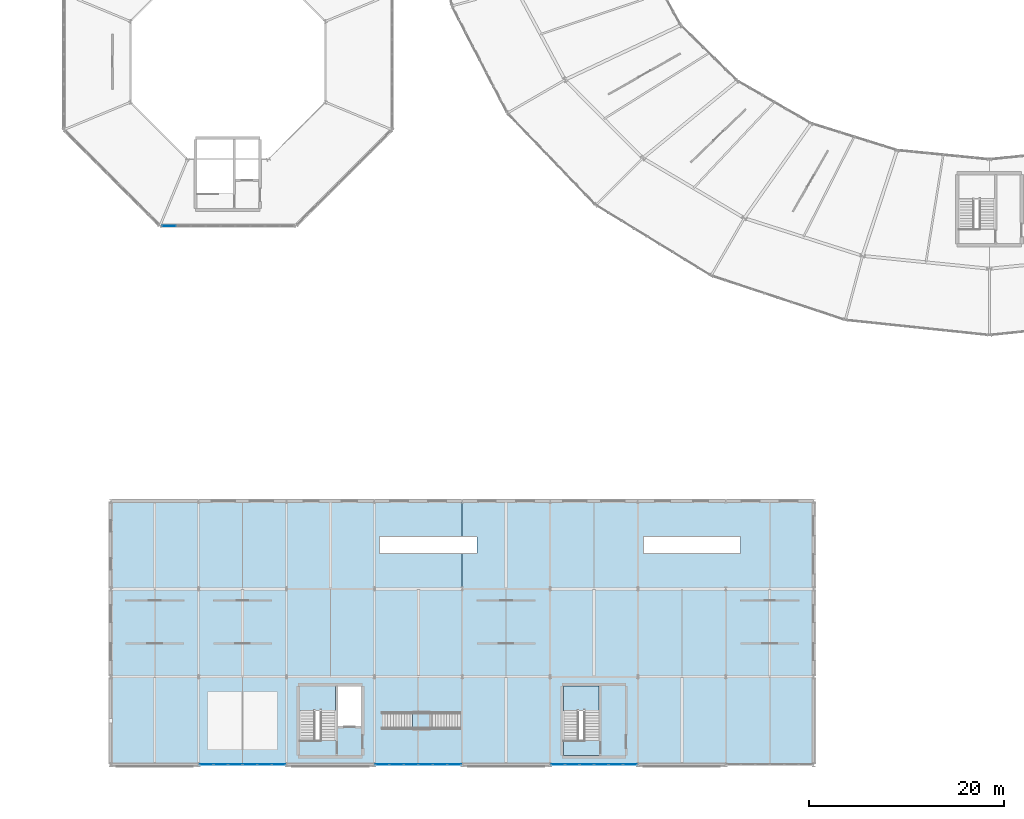
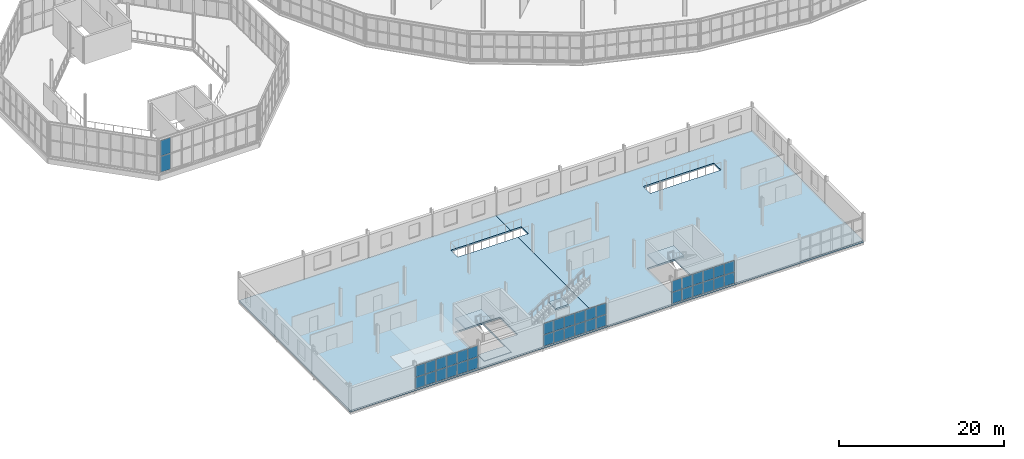
# One storey, part 106 of 161: 38 plates, 7 slabs, 7 elements without a shape of their own.
"""IFC4 building model written with IfcOpenShell, lengths in metres."""

import ifcopenshell
import ifcopenshell.guid

model = None  # the IFC model being written
_history = None  # IfcOwnerHistory: only IFC2X3 demands one
_inside = {}  # id of a spatial element -> (the spatial element, [elements in it])
_under = {}  # id of a project, library or spatial element -> (it, [spatial elements below it])
_declared = {}  # id of a project -> (the project, [libraries it declares])
_typed = {}  # id of a type object -> (the type object, [elements of that type])
_made_of = {}  # id of a material, layer set ... -> (it, [elements and type objects made of it])


def new_model(schema):
    """Start an empty IFC model of exactly this schema.

    Asked for "IFC4X3", IfcOpenShell would pick the latest addendum, in which some entities
    have other attributes; the version numbers below select the first issue.
    IFC2X3 requires an IfcOwnerHistory on every rooted entity: one is made here for all.
    """
    global model, _history
    if schema == "IFC4X3":
        model = ifcopenshell.file(schema_version=(4, 3, 0, 0))
    else:
        model = ifcopenshell.file(schema=schema)
    _inside.clear()
    _under.clear()
    _declared.clear()
    _typed.clear()
    _made_of.clear()
    _history = None
    if model.schema == "IFC2X3":
        org = make("IfcOrganization", Name="unknown")
        user = make(
            "IfcPersonAndOrganization",
            ThePerson=make("IfcPerson", FamilyName="unknown"),
            TheOrganization=org,
        )
        app = make(
            "IfcApplication",
            ApplicationDeveloper=org,
            Version="unknown",
            ApplicationFullName="unknown",
            ApplicationIdentifier="unknown",
        )
        _history = make(
            "IfcOwnerHistory",
            OwningUser=user,
            OwningApplication=app,
            ChangeAction="ADDED",
            CreationDate=0,
        )
    return model


def make(cls, **values):
    """One entity of the class cls with the attributes given. An attribute that is None is left unset."""
    return model.create_entity(
        cls, **{name: value for name, value in values.items() if value is not None}
    )


def rooted(cls, **values):
    """An entity with a GlobalId (a new one), such as an element, a storey or a relation."""
    return make(cls, GlobalId=ifcopenshell.guid.new(), OwnerHistory=_history, **values)


def si_unit(unit_type, name, prefix=None):
    """IfcSIUnit, for example si_unit("LENGTHUNIT", "METRE", prefix="MILLI")."""
    return make("IfcSIUnit", UnitType=unit_type, Prefix=prefix, Name=name)


def assignment(units):
    """IfcUnitAssignment: the units of a project."""
    return None if units is None else make("IfcUnitAssignment", Units=units)


def point(xyz):
    """IfcCartesianPoint."""
    return None if xyz is None else make("IfcCartesianPoint", Coordinates=xyz)


def direction(xyz):
    """IfcDirection."""
    return None if xyz is None else make("IfcDirection", DirectionRatios=xyz)


def frame(location, z_axis=None, x_axis=None):
    """IfcAxis2Placement3D, a coordinate frame: its origin and axes. An axis left out is left unset."""
    return make(
        "IfcAxis2Placement3D",
        Location=point(location),
        Axis=direction(z_axis),
        RefDirection=direction(x_axis),
    )


def frame_2d(location, x_axis=None):
    """IfcAxis2Placement2D, a coordinate frame in the plane: its origin and x axis."""
    return make(
        "IfcAxis2Placement2D", Location=point(location), RefDirection=direction(x_axis)
    )


def origin():
    """The frame at (0, 0, 0) with its axes left unset."""
    return frame((0.0, 0.0, 0.0))


def origin_2d():
    """The frame at (0, 0) in the plane with its x axis left unset."""
    return frame_2d((0.0, 0.0))


def place(relative_to, where):
    """IfcLocalPlacement: puts the frame where relative to a parent placement (None: the world)."""
    return make(
        "IfcLocalPlacement", PlacementRelTo=relative_to, RelativePlacement=where
    )


def context(
    kind, dimensions, precision=None, world=None, true_north=None, identifier=None
):
    """IfcGeometricRepresentationContext, for example the 3D "Model" context."""
    return make(
        "IfcGeometricRepresentationContext",
        ContextIdentifier=identifier,
        ContextType=kind,
        CoordinateSpaceDimension=dimensions,
        Precision=precision,
        WorldCoordinateSystem=world,
        TrueNorth=true_north,
    )


def subcontext(parent, identifier, kind, view, scale=None):
    """IfcGeometricRepresentationSubContext, for example "Body" below "Model"."""
    return make(
        "IfcGeometricRepresentationSubContext",
        ContextIdentifier=identifier,
        ContextType=kind,
        ParentContext=parent,
        TargetScale=scale,
        TargetView=view,
    )


def project(units=None, contexts=None):
    """IfcProject with its units and contexts."""
    return rooted(
        "IfcProject",
        Name="project",
        RepresentationContexts=contexts,
        UnitsInContext=assignment(units),
    )


def spatial(cls, under=None, at=None, **own):
    """A site, building, storey or space (cls), placed at a placement, below another one or the project."""
    s = rooted(cls, ObjectPlacement=at, **own)
    if under is not None:
        _under.setdefault(under.id(), (under, []))[1].append(s)
    return s


def polyline(points):
    """IfcPolyline through the points."""
    return make("IfcPolyline", Points=[point(p) for p in points])


def profile(cls, at=None, kind="AREA", **sizes):
    """A parametric profile (cls). Its sizes go by their IFC names, for example OverallWidth=200.0."""
    return make(cls, ProfileType=kind, Position=at, **sizes)


def rectangle(**sizes):
    """IfcRectangleProfileDef."""
    return profile("IfcRectangleProfileDef", **sizes)


def outline(outer, holes=None, kind="AREA"):
    """IfcArbitraryClosedProfileDef: a profile drawn as a closed curve; with holes, ...WithVoids."""
    if holes is None:
        return make("IfcArbitraryClosedProfileDef", ProfileType=kind, OuterCurve=outer)
    return make(
        "IfcArbitraryProfileDefWithVoids",
        ProfileType=kind,
        OuterCurve=outer,
        InnerCurves=holes,
    )


def extrude(swept, where, along, depth):
    """IfcExtrudedAreaSolid: the profile swept, set in the frame where, extruded along a direction by depth."""
    return make(
        "IfcExtrudedAreaSolid",
        SweptArea=swept,
        Position=where,
        ExtrudedDirection=direction(along),
        Depth=depth,
    )


def shape(context_of_items, identifier, shape_type, items):
    """IfcShapeRepresentation: the items that make up one representation, for example the "Body"."""
    return make(
        "IfcShapeRepresentation",
        ContextOfItems=context_of_items,
        RepresentationIdentifier=identifier,
        RepresentationType=shape_type,
        Items=items,
    )


def material(Name=None, Category=None):
    """IfcMaterial."""
    return make("IfcMaterial", Name=Name, Category=Category)


def layer(
    of_material, thickness, ventilated=None, Name=None, Category=None, Priority=None
):
    """IfcMaterialLayer: one layer of a wall or slab, of a material (None: an air gap)."""
    return make(
        "IfcMaterialLayer",
        Material=of_material,
        LayerThickness=thickness,
        IsVentilated=ventilated,
        Name=Name,
        Category=Category,
        Priority=Priority,
    )


def layer_set(layers, Name=None):
    """IfcMaterialLayerSet."""
    return make("IfcMaterialLayerSet", MaterialLayers=layers, LayerSetName=Name)


def made_of(thing, what):
    """Note that an element or type object is made of a material, layer set ...; save() writes the relation."""
    if what is not None:
        _made_of.setdefault(what.id(), (what, []))[1].append(thing)
    return thing


def type_object(cls, material=None, **own):
    """A type object (cls), such as IfcWallType, which elements share."""
    return made_of(rooted(cls, **own), material)


def element(
    cls,
    number,
    at=None,
    inside=None,
    cuts=None,
    type_object=None,
    material=None,
    context=None,
    identifier="Body",
    shape_type=None,
    held_by="IfcProductDefinitionShape",
    body=None,
    shapes=None,
    **own,
):
    """One element of the class cls, such as IfcWall. Its Tag is "e" and its number.

    at: its placement. inside: the storey or other place that contains it. cuts: it is an
    opening in that element (IfcRelVoidsElement). A single representation is given by context,
    identifier, shape_type and body (its items); several are given by shapes. held_by: the class
    of the entity that holds the representations. save() writes the other relations.
    """
    e = rooted(cls, Tag="e%d" % number, ObjectPlacement=at, **own)
    if body is not None:
        shapes = [shape(context, identifier, shape_type, body)]
    if shapes is not None:
        e.Representation = make(held_by, Representations=shapes)
    if inside is not None:
        _inside.setdefault(inside.id(), (inside, []))[1].append(e)
    if cuts is not None:
        rooted(
            "IfcRelVoidsElement", RelatingBuildingElement=cuts, RelatedOpeningElement=e
        )
    if type_object is not None:
        _typed.setdefault(type_object.id(), (type_object, []))[1].append(e)
    return made_of(e, material)


def aggregate(whole, parts):
    """IfcRelAggregates: a whole, such as a stair, and the parts it consists of."""
    return rooted("IfcRelAggregates", RelatingObject=whole, RelatedObjects=parts)


def save(model, path):
    """Write the relations noted so far, then the file.

    IfcRelAggregates (storeys below a building ...), IfcRelContainedInSpatialStructure (elements
    in a storey), IfcRelDefinesByType, IfcRelAssociatesMaterial and IfcRelDeclares: one each for
    every whole, place, type object, material and project.
    """
    for whole, parts in _under.values():
        aggregate(whole, parts)
    for where, things in _inside.values():
        rooted(
            "IfcRelContainedInSpatialStructure",
            RelatedElements=things,
            RelatingStructure=where,
        )
    for kind, things in _typed.values():
        rooted("IfcRelDefinesByType", RelatedObjects=things, RelatingType=kind)
    for what, things in _made_of.values():
        rooted("IfcRelAssociatesMaterial", RelatedObjects=things, RelatingMaterial=what)
    for by, libraries in _declared.values():
        rooted("IfcRelDeclares", RelatingContext=by, RelatedDefinitions=libraries)
    model.write(path)


model = new_model("IFC4")

# Units and contexts
model_context = context("Model", 3, precision=1e-05, world=origin(), true_north=direction((0.0, 1.0)))
body_context = subcontext(model_context, "Body", "Model", "MODEL_VIEW")
ifc_project = project(units=[si_unit("LENGTHUNIT", "METRE"), si_unit("AREAUNIT", "SQUARE_METRE"), si_unit("VOLUMEUNIT", "CUBIC_METRE"), si_unit("PLANEANGLEUNIT", "RADIAN"), si_unit("MASSUNIT", "GRAM", prefix="KILO")], contexts=[model_context])

# Site, building, storey
site_placement = place(None, origin())
site = spatial("IfcSite", under=ifc_project, at=site_placement, CompositionType="ELEMENT")
building_placement = place(site_placement, origin())
building = spatial("IfcBuilding", under=site, at=building_placement, Name="Kildeholm Park Wholesale Market", CompositionType="ELEMENT")
storey_placement = place(building_placement, frame((0.0, 0.0, 5.39990234375)))
storey = spatial("IfcBuildingStorey", under=building, at=storey_placement, Name="L01", CompositionType="ELEMENT", Elevation=5.39990234375)

# Curtain wall, plates
ifc_material_1 = material(Name="Anodised aluminium and low-E double-glazed glass", Category="aluminium")
curtain_wall_type_1 = type_object("IfcCurtainWallType", Name="Clerestory daylight stick curtain wall CW-02", PredefinedType="NOTDEFINED", material=ifc_material_1)
curtain_wall_1_placement = place(storey_placement, origin())
curtain_wall_1 = element("IfcCurtainWall", 1, at=curtain_wall_1_placement, inside=storey, type_object=curtain_wall_type_1, Name="Curtain wall CW-V3-L01-05 CW-0140", PredefinedType="NOTDEFINED")
ifc_material_2 = material(Name="Triple-glazed solar-control glass", Category="glass")
ifc_layer_1 = layer(ifc_material_2, 0.035888671875)
ifc_layer_set_1 = layer_set([ifc_layer_1], Name="Triple-glazed solar-control glass")
plate_type = type_object("IfcPlateType", Name="Curtain-wall panel CWP-2 36 mm", PredefinedType="CURTAIN_PANEL", material=ifc_layer_set_1)
plate_1_placement = place(storey_placement, frame((14.9521484375, 55.18505859375, 0.0751953125), z_axis=(0.0, 0.0, 1.0), x_axis=(1.0, 0.0, 0.0)))
plate_1 = element("IfcPlate", 2, at=plate_1_placement, type_object=plate_type, Name="CW-02 panel 1.1 PLT-2070", PredefinedType="CURTAIN_PANEL", context=body_context, shape_type="SweptSolid", body=[
    extrude(rectangle(XDim=1.404052734375, YDim=0.035888671875, at=origin_2d()), origin(), (0.0, 0.0, 1.0), 2.3125),
])
plate_2_placement = place(storey_placement, frame((14.9521484375, 55.18505859375, 2.462646484375), z_axis=(0.0, 0.0, 1.0), x_axis=(1.0, 0.0, 0.0)))
plate_2 = element("IfcPlate", 3, at=plate_2_placement, type_object=plate_type, Name="CW-02 panel 1.2 PLT-2071", PredefinedType="CURTAIN_PANEL", context=body_context, shape_type="SweptSolid", body=[
    extrude(rectangle(XDim=1.404052734375, YDim=0.035888671875, at=origin_2d()), origin(), (0.0, 0.0, 1.0), 2.3125),
])
aggregate(curtain_wall_1, [plate_1, plate_2])

curtain_wall_type_2 = type_object("IfcCurtainWallType", Name="Park wing thermally broken curtain wall CW-03", PredefinedType="NOTDEFINED", material=ifc_material_1)
curtain_wall_2_placement = place(storey_placement, origin())
curtain_wall_2 = element("IfcCurtainWall", 4, at=curtain_wall_2_placement, inside=storey, type_object=curtain_wall_type_2, Name="Curtain wall CW-V5W-L01-S-02 CW-0143", PredefinedType="NOTDEFINED")
plate_3_placement = place(storey_placement, frame((18.802001953125, 0.0, 0.0751953125), z_axis=(0.0, 0.0, 1.0), x_axis=(1.0, 0.0, 0.0)))
plate_3 = element("IfcPlate", 5, at=plate_3_placement, type_object=plate_type, Name="CW-03 panel 1.1 PLT-2124", PredefinedType="CURTAIN_PANEL", context=body_context, shape_type="SweptSolid", body=[
    extrude(rectangle(XDim=1.374267578125, YDim=0.035888671875, at=origin_2d()), origin(), (0.0, 0.0, 1.0), 1.637451171875),
])
plate_4_placement = place(storey_placement, frame((18.802001953125, 0.0, 1.78759765625), z_axis=(0.0, 0.0, 1.0), x_axis=(1.0, 0.0, 0.0)))
plate_4 = element("IfcPlate", 6, at=plate_4_placement, type_object=plate_type, Name="CW-03 panel 1.2 PLT-2125", PredefinedType="CURTAIN_PANEL", context=body_context, shape_type="SweptSolid", body=[
    extrude(rectangle(XDim=1.374267578125, YDim=0.035888671875, at=origin_2d()), origin(), (0.0, 0.0, 1.0), 1.637451171875),
])
plate_5_placement = place(storey_placement, frame((20.27001953125, 0.0, 0.0751953125), z_axis=(0.0, 0.0, 1.0), x_axis=(1.0, 0.0, 0.0)))
plate_5 = element("IfcPlate", 7, at=plate_5_placement, type_object=plate_type, Name="CW-03 panel 2.1 PLT-2126", PredefinedType="CURTAIN_PANEL", context=body_context, shape_type="SweptSolid", body=[
    extrude(rectangle(XDim=1.41162109375, YDim=0.035888671875, at=origin_2d()), origin(), (0.0, 0.0, 1.0), 1.637451171875),
])
plate_6_placement = place(storey_placement, frame((20.27001953125, 0.0, 1.78759765625), z_axis=(0.0, 0.0, 1.0), x_axis=(1.0, 0.0, 0.0)))
plate_6 = element("IfcPlate", 8, at=plate_6_placement, type_object=plate_type, Name="CW-03 panel 2.2 PLT-2127", PredefinedType="CURTAIN_PANEL", context=body_context, shape_type="SweptSolid", body=[
    extrude(rectangle(XDim=1.41162109375, YDim=0.035888671875, at=origin_2d()), origin(), (0.0, 0.0, 1.0), 1.637451171875),
])
plate_7_placement = place(storey_placement, frame((21.756591796875, 0.0, 0.0751953125), z_axis=(0.0, 0.0, 1.0), x_axis=(1.0, 0.0, 0.0)))
plate_7 = element("IfcPlate", 9, at=plate_7_placement, type_object=plate_type, Name="CW-03 panel 3.1 PLT-2128", PredefinedType="CURTAIN_PANEL", context=body_context, shape_type="SweptSolid", body=[
    extrude(rectangle(XDim=1.41162109375, YDim=0.035888671875, at=origin_2d()), origin(), (0.0, 0.0, 1.0), 1.637451171875),
])
plate_8_placement = place(storey_placement, frame((21.756591796875, 0.0, 1.78759765625), z_axis=(0.0, 0.0, 1.0), x_axis=(1.0, 0.0, 0.0)))
plate_8 = element("IfcPlate", 10, at=plate_8_placement, type_object=plate_type, Name="CW-03 panel 3.2 PLT-2129", PredefinedType="CURTAIN_PANEL", context=body_context, shape_type="SweptSolid", body=[
    extrude(rectangle(XDim=1.41162109375, YDim=0.035888671875, at=origin_2d()), origin(), (0.0, 0.0, 1.0), 1.637451171875),
])
plate_9_placement = place(storey_placement, frame((23.243408203125, 0.0, 0.0751953125), z_axis=(0.0, 0.0, 1.0), x_axis=(1.0, 0.0, 0.0)))
plate_9 = element("IfcPlate", 11, at=plate_9_placement, type_object=plate_type, Name="CW-03 panel 4.1 PLT-2130", PredefinedType="CURTAIN_PANEL", context=body_context, shape_type="SweptSolid", body=[
    extrude(rectangle(XDim=1.41162109375, YDim=0.035888671875, at=origin_2d()), origin(), (0.0, 0.0, 1.0), 1.637451171875),
])
plate_10_placement = place(storey_placement, frame((23.243408203125, 0.0, 1.78759765625), z_axis=(0.0, 0.0, 1.0), x_axis=(1.0, 0.0, 0.0)))
plate_10 = element("IfcPlate", 12, at=plate_10_placement, type_object=plate_type, Name="CW-03 panel 4.2 PLT-2131", PredefinedType="CURTAIN_PANEL", context=body_context, shape_type="SweptSolid", body=[
    extrude(rectangle(XDim=1.41162109375, YDim=0.035888671875, at=origin_2d()), origin(), (0.0, 0.0, 1.0), 1.637451171875),
])
plate_11_placement = place(storey_placement, frame((24.72998046875, 0.0, 0.0751953125), z_axis=(0.0, 0.0, 1.0), x_axis=(1.0, 0.0, 0.0)))
plate_11 = element("IfcPlate", 13, at=plate_11_placement, type_object=plate_type, Name="CW-03 panel 5.1 PLT-2132", PredefinedType="CURTAIN_PANEL", context=body_context, shape_type="SweptSolid", body=[
    extrude(rectangle(XDim=1.41162109375, YDim=0.035888671875, at=origin_2d()), origin(), (0.0, 0.0, 1.0), 1.637451171875),
])
plate_12_placement = place(storey_placement, frame((24.72998046875, 0.0, 1.78759765625), z_axis=(0.0, 0.0, 1.0), x_axis=(1.0, 0.0, 0.0)))
plate_12 = element("IfcPlate", 14, at=plate_12_placement, type_object=plate_type, Name="CW-03 panel 5.2 PLT-2133", PredefinedType="CURTAIN_PANEL", context=body_context, shape_type="SweptSolid", body=[
    extrude(rectangle(XDim=1.41162109375, YDim=0.035888671875, at=origin_2d()), origin(), (0.0, 0.0, 1.0), 1.637451171875),
])
plate_13_placement = place(storey_placement, frame((26.197998046875, 0.0, 0.0751953125), z_axis=(0.0, 0.0, 1.0), x_axis=(1.0, 0.0, 0.0)))
plate_13 = element("IfcPlate", 15, at=plate_13_placement, type_object=plate_type, Name="CW-03 panel 6.1 PLT-2134", PredefinedType="CURTAIN_PANEL", context=body_context, shape_type="SweptSolid", body=[
    extrude(rectangle(XDim=1.374267578125, YDim=0.035888671875, at=origin_2d()), origin(), (0.0, 0.0, 1.0), 1.637451171875),
])
plate_14_placement = place(storey_placement, frame((26.197998046875, 0.0, 1.78759765625), z_axis=(0.0, 0.0, 1.0), x_axis=(1.0, 0.0, 0.0)))
plate_14 = element("IfcPlate", 16, at=plate_14_placement, type_object=plate_type, Name="CW-03 panel 6.2 PLT-2135", PredefinedType="CURTAIN_PANEL", context=body_context, shape_type="SweptSolid", body=[
    extrude(rectangle(XDim=1.374267578125, YDim=0.035888671875, at=origin_2d()), origin(), (0.0, 0.0, 1.0), 1.637451171875),
])
aggregate(curtain_wall_2, [plate_3, plate_4, plate_5, plate_6, plate_7, plate_8, plate_9, plate_10, plate_11, plate_12, plate_13, plate_14])

curtain_wall_3_placement = place(storey_placement, origin())
curtain_wall_3 = element("IfcCurtainWall", 17, at=curtain_wall_3_placement, inside=storey, type_object=curtain_wall_type_2, Name="Curtain wall CW-V5W-L01-S-04 CW-0144", PredefinedType="NOTDEFINED")
plate_15_placement = place(storey_placement, frame((36.802001953125, 0.0, 0.0751953125), z_axis=(0.0, 0.0, 1.0), x_axis=(1.0, 0.0, 0.0)))
plate_15 = element("IfcPlate", 18, at=plate_15_placement, type_object=plate_type, Name="CW-03 panel 1.1 PLT-2136", PredefinedType="CURTAIN_PANEL", context=body_context, shape_type="SweptSolid", body=[
    extrude(rectangle(XDim=1.374267578125, YDim=0.035888671875, at=origin_2d()), origin(), (0.0, 0.0, 1.0), 1.637451171875),
])
plate_16_placement = place(storey_placement, frame((36.802001953125, 0.0, 1.78759765625), z_axis=(0.0, 0.0, 1.0), x_axis=(1.0, 0.0, 0.0)))
plate_16 = element("IfcPlate", 19, at=plate_16_placement, type_object=plate_type, Name="CW-03 panel 1.2 PLT-2137", PredefinedType="CURTAIN_PANEL", context=body_context, shape_type="SweptSolid", body=[
    extrude(rectangle(XDim=1.374267578125, YDim=0.035888671875, at=origin_2d()), origin(), (0.0, 0.0, 1.0), 1.637451171875),
])
plate_17_placement = place(storey_placement, frame((38.27001953125, 0.0, 0.0751953125), z_axis=(0.0, 0.0, 1.0), x_axis=(1.0, 0.0, 0.0)))
plate_17 = element("IfcPlate", 20, at=plate_17_placement, type_object=plate_type, Name="CW-03 panel 2.1 PLT-2138", PredefinedType="CURTAIN_PANEL", context=body_context, shape_type="SweptSolid", body=[
    extrude(rectangle(XDim=1.41162109375, YDim=0.035888671875, at=origin_2d()), origin(), (0.0, 0.0, 1.0), 1.637451171875),
])
plate_18_placement = place(storey_placement, frame((38.27001953125, 0.0, 1.78759765625), z_axis=(0.0, 0.0, 1.0), x_axis=(1.0, 0.0, 0.0)))
plate_18 = element("IfcPlate", 21, at=plate_18_placement, type_object=plate_type, Name="CW-03 panel 2.2 PLT-2139", PredefinedType="CURTAIN_PANEL", context=body_context, shape_type="SweptSolid", body=[
    extrude(rectangle(XDim=1.41162109375, YDim=0.035888671875, at=origin_2d()), origin(), (0.0, 0.0, 1.0), 1.637451171875),
])
plate_19_placement = place(storey_placement, frame((39.756591796875, 0.0, 0.0751953125), z_axis=(0.0, 0.0, 1.0), x_axis=(1.0, 0.0, 0.0)))
plate_19 = element("IfcPlate", 22, at=plate_19_placement, type_object=plate_type, Name="CW-03 panel 3.1 PLT-2140", PredefinedType="CURTAIN_PANEL", context=body_context, shape_type="SweptSolid", body=[
    extrude(rectangle(XDim=1.41162109375, YDim=0.035888671875, at=origin_2d()), origin(), (0.0, 0.0, 1.0), 1.637451171875),
])
plate_20_placement = place(storey_placement, frame((39.756591796875, 0.0, 1.78759765625), z_axis=(0.0, 0.0, 1.0), x_axis=(1.0, 0.0, 0.0)))
plate_20 = element("IfcPlate", 23, at=plate_20_placement, type_object=plate_type, Name="CW-03 panel 3.2 PLT-2141", PredefinedType="CURTAIN_PANEL", context=body_context, shape_type="SweptSolid", body=[
    extrude(rectangle(XDim=1.41162109375, YDim=0.035888671875, at=origin_2d()), origin(), (0.0, 0.0, 1.0), 1.637451171875),
])
plate_21_placement = place(storey_placement, frame((41.243408203125, 0.0, 0.0751953125), z_axis=(0.0, 0.0, 1.0), x_axis=(1.0, 0.0, 0.0)))
plate_21 = element("IfcPlate", 24, at=plate_21_placement, type_object=plate_type, Name="CW-03 panel 4.1 PLT-2142", PredefinedType="CURTAIN_PANEL", context=body_context, shape_type="SweptSolid", body=[
    extrude(rectangle(XDim=1.41162109375, YDim=0.035888671875, at=origin_2d()), origin(), (0.0, 0.0, 1.0), 1.637451171875),
])
plate_22_placement = place(storey_placement, frame((41.243408203125, 0.0, 1.78759765625), z_axis=(0.0, 0.0, 1.0), x_axis=(1.0, 0.0, 0.0)))
plate_22 = element("IfcPlate", 25, at=plate_22_placement, type_object=plate_type, Name="CW-03 panel 4.2 PLT-2143", PredefinedType="CURTAIN_PANEL", context=body_context, shape_type="SweptSolid", body=[
    extrude(rectangle(XDim=1.41162109375, YDim=0.035888671875, at=origin_2d()), origin(), (0.0, 0.0, 1.0), 1.637451171875),
])
plate_23_placement = place(storey_placement, frame((42.72998046875, 0.0, 0.0751953125), z_axis=(0.0, 0.0, 1.0), x_axis=(1.0, 0.0, 0.0)))
plate_23 = element("IfcPlate", 26, at=plate_23_placement, type_object=plate_type, Name="CW-03 panel 5.1 PLT-2144", PredefinedType="CURTAIN_PANEL", context=body_context, shape_type="SweptSolid", body=[
    extrude(rectangle(XDim=1.41162109375, YDim=0.035888671875, at=origin_2d()), origin(), (0.0, 0.0, 1.0), 1.637451171875),
])
plate_24_placement = place(storey_placement, frame((42.72998046875, 0.0, 1.78759765625), z_axis=(0.0, 0.0, 1.0), x_axis=(1.0, 0.0, 0.0)))
plate_24 = element("IfcPlate", 27, at=plate_24_placement, type_object=plate_type, Name="CW-03 panel 5.2 PLT-2145", PredefinedType="CURTAIN_PANEL", context=body_context, shape_type="SweptSolid", body=[
    extrude(rectangle(XDim=1.41162109375, YDim=0.035888671875, at=origin_2d()), origin(), (0.0, 0.0, 1.0), 1.637451171875),
])
plate_25_placement = place(storey_placement, frame((44.197998046875, 0.0, 0.0751953125), z_axis=(0.0, 0.0, 1.0), x_axis=(1.0, 0.0, 0.0)))
plate_25 = element("IfcPlate", 28, at=plate_25_placement, type_object=plate_type, Name="CW-03 panel 6.1 PLT-2146", PredefinedType="CURTAIN_PANEL", context=body_context, shape_type="SweptSolid", body=[
    extrude(rectangle(XDim=1.374267578125, YDim=0.035888671875, at=origin_2d()), origin(), (0.0, 0.0, 1.0), 1.637451171875),
])
plate_26_placement = place(storey_placement, frame((44.197998046875, 0.0, 1.78759765625), z_axis=(0.0, 0.0, 1.0), x_axis=(1.0, 0.0, 0.0)))
plate_26 = element("IfcPlate", 29, at=plate_26_placement, type_object=plate_type, Name="CW-03 panel 6.2 PLT-2147", PredefinedType="CURTAIN_PANEL", context=body_context, shape_type="SweptSolid", body=[
    extrude(rectangle(XDim=1.374267578125, YDim=0.035888671875, at=origin_2d()), origin(), (0.0, 0.0, 1.0), 1.637451171875),
])
aggregate(curtain_wall_3, [plate_15, plate_16, plate_17, plate_18, plate_19, plate_20, plate_21, plate_22, plate_23, plate_24, plate_25, plate_26])

curtain_wall_4_placement = place(storey_placement, origin())
curtain_wall_4 = element("IfcCurtainWall", 30, at=curtain_wall_4_placement, inside=storey, type_object=curtain_wall_type_2, Name="Curtain wall CW-V5W-L01-S-06 CW-0145", PredefinedType="NOTDEFINED")
plate_27_placement = place(storey_placement, frame((54.802001953125, 0.0, 0.0751953125), z_axis=(0.0, 0.0, 1.0), x_axis=(1.0, 0.0, 0.0)))
plate_27 = element("IfcPlate", 31, at=plate_27_placement, type_object=plate_type, Name="CW-03 panel 1.1 PLT-2148", PredefinedType="CURTAIN_PANEL", context=body_context, shape_type="SweptSolid", body=[
    extrude(rectangle(XDim=1.374267578125, YDim=0.035888671875, at=origin_2d()), origin(), (0.0, 0.0, 1.0), 1.637451171875),
])
plate_28_placement = place(storey_placement, frame((54.802001953125, 0.0, 1.78759765625), z_axis=(0.0, 0.0, 1.0), x_axis=(1.0, 0.0, 0.0)))
plate_28 = element("IfcPlate", 32, at=plate_28_placement, type_object=plate_type, Name="CW-03 panel 1.2 PLT-2149", PredefinedType="CURTAIN_PANEL", context=body_context, shape_type="SweptSolid", body=[
    extrude(rectangle(XDim=1.374267578125, YDim=0.035888671875, at=origin_2d()), origin(), (0.0, 0.0, 1.0), 1.637451171875),
])
plate_29_placement = place(storey_placement, frame((56.27001953125, 0.0, 0.0751953125), z_axis=(0.0, 0.0, 1.0), x_axis=(1.0, 0.0, 0.0)))
plate_29 = element("IfcPlate", 33, at=plate_29_placement, type_object=plate_type, Name="CW-03 panel 2.1 PLT-2150", PredefinedType="CURTAIN_PANEL", context=body_context, shape_type="SweptSolid", body=[
    extrude(rectangle(XDim=1.41162109375, YDim=0.035888671875, at=origin_2d()), origin(), (0.0, 0.0, 1.0), 1.637451171875),
])
plate_30_placement = place(storey_placement, frame((56.27001953125, 0.0, 1.78759765625), z_axis=(0.0, 0.0, 1.0), x_axis=(1.0, 0.0, 0.0)))
plate_30 = element("IfcPlate", 34, at=plate_30_placement, type_object=plate_type, Name="CW-03 panel 2.2 PLT-2151", PredefinedType="CURTAIN_PANEL", context=body_context, shape_type="SweptSolid", body=[
    extrude(rectangle(XDim=1.41162109375, YDim=0.035888671875, at=origin_2d()), origin(), (0.0, 0.0, 1.0), 1.637451171875),
])
plate_31_placement = place(storey_placement, frame((57.756591796875, 0.0, 0.0751953125), z_axis=(0.0, 0.0, 1.0), x_axis=(1.0, 0.0, 0.0)))
plate_31 = element("IfcPlate", 35, at=plate_31_placement, type_object=plate_type, Name="CW-03 panel 3.1 PLT-2152", PredefinedType="CURTAIN_PANEL", context=body_context, shape_type="SweptSolid", body=[
    extrude(rectangle(XDim=1.41162109375, YDim=0.035888671875, at=origin_2d()), origin(), (0.0, 0.0, 1.0), 1.637451171875),
])
plate_32_placement = place(storey_placement, frame((57.756591796875, 0.0, 1.78759765625), z_axis=(0.0, 0.0, 1.0), x_axis=(1.0, 0.0, 0.0)))
plate_32 = element("IfcPlate", 36, at=plate_32_placement, type_object=plate_type, Name="CW-03 panel 3.2 PLT-2153", PredefinedType="CURTAIN_PANEL", context=body_context, shape_type="SweptSolid", body=[
    extrude(rectangle(XDim=1.41162109375, YDim=0.035888671875, at=origin_2d()), origin(), (0.0, 0.0, 1.0), 1.637451171875),
])
plate_33_placement = place(storey_placement, frame((59.243408203125, 0.0, 0.0751953125), z_axis=(0.0, 0.0, 1.0), x_axis=(1.0, 0.0, 0.0)))
plate_33 = element("IfcPlate", 37, at=plate_33_placement, type_object=plate_type, Name="CW-03 panel 4.1 PLT-2154", PredefinedType="CURTAIN_PANEL", context=body_context, shape_type="SweptSolid", body=[
    extrude(rectangle(XDim=1.41162109375, YDim=0.035888671875, at=origin_2d()), origin(), (0.0, 0.0, 1.0), 1.637451171875),
])
plate_34_placement = place(storey_placement, frame((59.243408203125, 0.0, 1.78759765625), z_axis=(0.0, 0.0, 1.0), x_axis=(1.0, 0.0, 0.0)))
plate_34 = element("IfcPlate", 38, at=plate_34_placement, type_object=plate_type, Name="CW-03 panel 4.2 PLT-2155", PredefinedType="CURTAIN_PANEL", context=body_context, shape_type="SweptSolid", body=[
    extrude(rectangle(XDim=1.41162109375, YDim=0.035888671875, at=origin_2d()), origin(), (0.0, 0.0, 1.0), 1.637451171875),
])
plate_35_placement = place(storey_placement, frame((60.72998046875, 0.0, 0.0751953125), z_axis=(0.0, 0.0, 1.0), x_axis=(1.0, 0.0, 0.0)))
plate_35 = element("IfcPlate", 39, at=plate_35_placement, type_object=plate_type, Name="CW-03 panel 5.1 PLT-2156", PredefinedType="CURTAIN_PANEL", context=body_context, shape_type="SweptSolid", body=[
    extrude(rectangle(XDim=1.41162109375, YDim=0.035888671875, at=origin_2d()), origin(), (0.0, 0.0, 1.0), 1.637451171875),
])
plate_36_placement = place(storey_placement, frame((60.72998046875, 0.0, 1.78759765625), z_axis=(0.0, 0.0, 1.0), x_axis=(1.0, 0.0, 0.0)))
plate_36 = element("IfcPlate", 40, at=plate_36_placement, type_object=plate_type, Name="CW-03 panel 5.2 PLT-2157", PredefinedType="CURTAIN_PANEL", context=body_context, shape_type="SweptSolid", body=[
    extrude(rectangle(XDim=1.41162109375, YDim=0.035888671875, at=origin_2d()), origin(), (0.0, 0.0, 1.0), 1.637451171875),
])
plate_37_placement = place(storey_placement, frame((62.197998046875, 0.0, 0.0751953125), z_axis=(0.0, 0.0, 1.0), x_axis=(1.0, 0.0, 0.0)))
plate_37 = element("IfcPlate", 41, at=plate_37_placement, type_object=plate_type, Name="CW-03 panel 6.1 PLT-2158", PredefinedType="CURTAIN_PANEL", context=body_context, shape_type="SweptSolid", body=[
    extrude(rectangle(XDim=1.374267578125, YDim=0.035888671875, at=origin_2d()), origin(), (0.0, 0.0, 1.0), 1.637451171875),
])
plate_38_placement = place(storey_placement, frame((62.197998046875, 0.0, 1.78759765625), z_axis=(0.0, 0.0, 1.0), x_axis=(1.0, 0.0, 0.0)))
plate_38 = element("IfcPlate", 42, at=plate_38_placement, type_object=plate_type, Name="CW-03 panel 6.2 PLT-2159", PredefinedType="CURTAIN_PANEL", context=body_context, shape_type="SweptSolid", body=[
    extrude(rectangle(XDim=1.374267578125, YDim=0.035888671875, at=origin_2d()), origin(), (0.0, 0.0, 1.0), 1.637451171875),
])
aggregate(curtain_wall_4, [plate_27, plate_28, plate_29, plate_30, plate_31, plate_32, plate_33, plate_34, plate_35, plate_36, plate_37, plate_38])

# Slabs
ifc_material_3 = material(Name="Concrete C35/45", Category="concrete")
ifc_layer_2 = layer(ifc_material_3, 0.239990234375)
ifc_layer_set_2 = layer_set([ifc_layer_2], Name="Concrete C35/45")
slab_type_1 = type_object("IfcSlabType", Name="Slab S-FL2 240 mm", PredefinedType="FLOOR", material=ifc_layer_set_2)
slab_1_placement = place(storey_placement, frame((0.0, 0.0, -0.239990234375)))
element("IfcSlab", 43, at=slab_1_placement, inside=storey, type_object=slab_type_1, Name="V5W L01 slab M part 1 SLB-0368", PredefinedType="FLOOR", context=body_context, shape_type="SweptSolid", body=[
    extrude(outline(polyline([(45.0, 0.0), (9.0, 0.0), (9.0, 27.0), (45.0, 27.0), (45.0, 23.340087890625), (36.60009765625, 23.340087890625), (36.60009765625, 21.659912109375), (45.0, 21.659912109375), (45.0, 0.0)]), holes=[polyline([(32.179931640625, 8.080078125), (28.320068359375, 8.080078125), (28.320068359375, 0.919921875), (32.179931640625, 0.919921875), (32.179931640625, 8.080078125)]), polyline([(34.679931640625, 3.820068359375), (34.679931640625, 8.080078125), (32.280029296875, 8.080078125), (32.280029296875, 3.820068359375), (34.679931640625, 3.820068359375)])]), origin(), (0.0, 0.0, 1.0), 0.239990234375),
])
slab_2_placement = place(storey_placement, frame((0.0, 0.0, -0.239990234375)))
element("IfcSlab", 44, at=slab_2_placement, inside=storey, type_object=slab_type_1, Name="V5W L01 slab M part 2 SLB-0369", PredefinedType="FLOOR", context=body_context, shape_type="SweptSolid", body=[
    extrude(outline(polyline([(45.0, 27.0), (81.0, 27.0), (81.0, 0.0), (45.0, 0.0), (45.0, 21.659912109375), (46.510009765625, 21.659912109375), (46.510009765625, 23.340087890625), (45.0, 23.340087890625), (45.0, 27.0)]), holes=[polyline([(59.179931640625, 0.919921875), (59.179931640625, 8.080078125), (55.320068359375, 8.080078125), (55.320068359375, 0.919921875), (59.179931640625, 0.919921875)]), polyline([(73.510009765625, 23.340087890625), (63.60009765625, 23.340087890625), (63.60009765625, 21.659912109375), (73.510009765625, 21.659912109375), (73.510009765625, 23.340087890625)])]), origin(), (0.0, 0.0, 1.0), 0.239990234375),
])
ifc_layer_3 = layer(ifc_material_3, 0.239990234375)
ifc_layer_set_3 = layer_set([ifc_layer_3], Name="Concrete C35/45")
slab_type_2 = type_object("IfcSlabType", Name="Stair landing slab S-LD1 240 mm", PredefinedType="LANDING", material=ifc_layer_set_3)
slab_3_placement = place(storey_placement, frame((0.0, 0.0, -0.239990234375)))
element("IfcSlab", 45, at=slab_3_placement, inside=storey, type_object=slab_type_2, Name="Core C04 stair landing slab L01 SLB-0421", PredefinedType="LANDING", context=body_context, shape_type="SweptSolid", body=[
    extrude(outline(polyline([(28.35009765625, 0.949951171875), (32.14990234375, 0.949951171875), (32.14990234375, 2.5), (28.35009765625, 2.5), (28.35009765625, 0.949951171875)])), origin(), (0.0, 0.0, 1.0), 0.239990234375),
])

# Stair, slab
stair_type_1 = type_object("IfcStairType", Name="Protected upper core escape stair ST-CR2", PredefinedType="HALF_TURN_STAIR", material=ifc_material_3)
stair_1_placement = place(storey_placement, origin())
stair_1 = element("IfcStair", 46, at=stair_1_placement, inside=storey, type_object=stair_type_1, Name="Escape stair C04 L01 STR-0009", PredefinedType="HALF_TURN_STAIR")
slab_4_placement = place(storey_placement, frame((0.0, 0.0, 1.860107421875)))
slab_4 = element("IfcSlab", 47, at=slab_4_placement, type_object=slab_type_2, Name="ST-04-01 landing 1 SLB-0422", PredefinedType="LANDING", context=body_context, shape_type="SweptSolid", body=[
    extrude(outline(polyline([(28.35009765625, 5.514892578125), (32.030029296875, 5.534912109375), (32.030029296875, 8.050048828125), (28.35009765625, 8.050048828125), (28.35009765625, 5.514892578125)])), origin(), (0.0, 0.0, 1.0), 0.239990234375),
])
aggregate(stair_1, [slab_4])

# Slab
slab_5_placement = place(storey_placement, frame((0.0, 0.0, -0.239990234375)))
element("IfcSlab", 48, at=slab_5_placement, inside=storey, type_object=slab_type_2, Name="Core C05 stair landing slab L01 SLB-0428", PredefinedType="LANDING", context=body_context, shape_type="SweptSolid", body=[
    extrude(outline(polyline([(55.35009765625, 0.949951171875), (59.14990234375, 0.949951171875), (59.14990234375, 2.5), (55.35009765625, 2.5), (55.35009765625, 0.949951171875)])), origin(), (0.0, 0.0, 1.0), 0.239990234375),
])

# Stair, slab
stair_2_placement = place(storey_placement, origin())
stair_2 = element("IfcStair", 49, at=stair_2_placement, inside=storey, type_object=stair_type_1, Name="Escape stair C05 L01 STR-0012", PredefinedType="HALF_TURN_STAIR")
slab_6_placement = place(storey_placement, frame((0.0, 0.0, 1.860107421875)))
slab_6 = element("IfcSlab", 50, at=slab_6_placement, type_object=slab_type_2, Name="ST-05-01 landing 1 SLB-0429", PredefinedType="LANDING", context=body_context, shape_type="SweptSolid", body=[
    extrude(outline(polyline([(55.35009765625, 5.514892578125), (59.030029296875, 5.534912109375), (59.030029296875, 8.050048828125), (55.35009765625, 8.050048828125), (55.35009765625, 5.514892578125)])), origin(), (0.0, 0.0, 1.0), 0.239990234375),
])
aggregate(stair_2, [slab_6])

ifc_material_4 = material(Name="Steel S355", Category="steel")
stair_type_2 = type_object("IfcStairType", Name="Buyers concourse feature straight stair ST-FT1", PredefinedType="STRAIGHT_RUN_STAIR", material=ifc_material_4)
stair_3_placement = place(storey_placement, origin())
stair_3 = element("IfcStair", 51, at=stair_3_placement, inside=storey, type_object=stair_type_2, Name="Buyers concourse feature stair ST-FT04 STR-0037", PredefinedType="STRAIGHT_RUN_STAIR")
slab_7_placement = place(storey_placement, frame((0.0, 0.0, 1.860107421875)))
slab_7 = element("IfcSlab", 52, at=slab_7_placement, type_object=slab_type_2, Name="ST-FT04 landing 1 SLB-0492", PredefinedType="LANDING", context=body_context, shape_type="SweptSolid", body=[
    extrude(outline(polyline([(39.89501953125, 3.639892578125), (41.7451171875, 3.639892578125), (41.7451171875, 5.360107421875), (39.89501953125, 5.360107421875), (39.89501953125, 3.639892578125)])), origin(), (0.0, 0.0, 1.0), 0.239990234375),
])
aggregate(stair_3, [slab_7])

save(model, "model.ifc")
